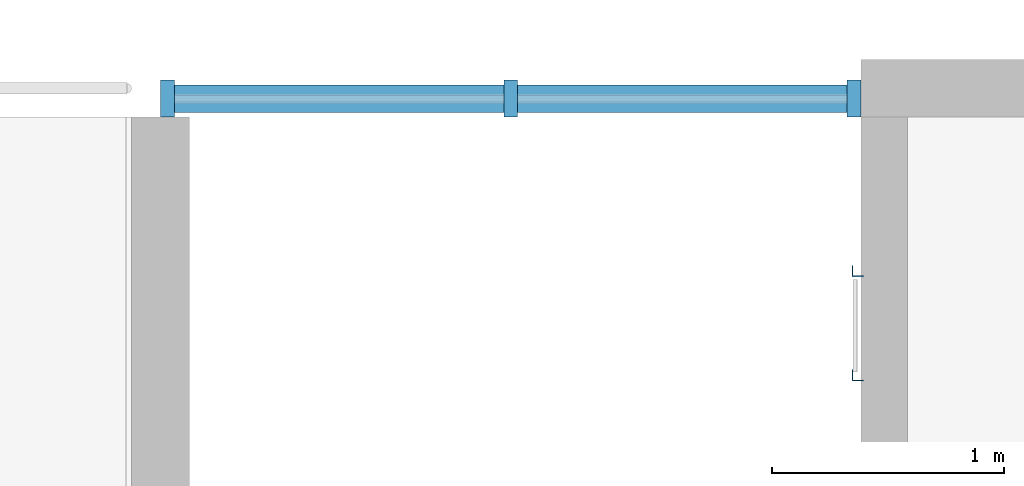
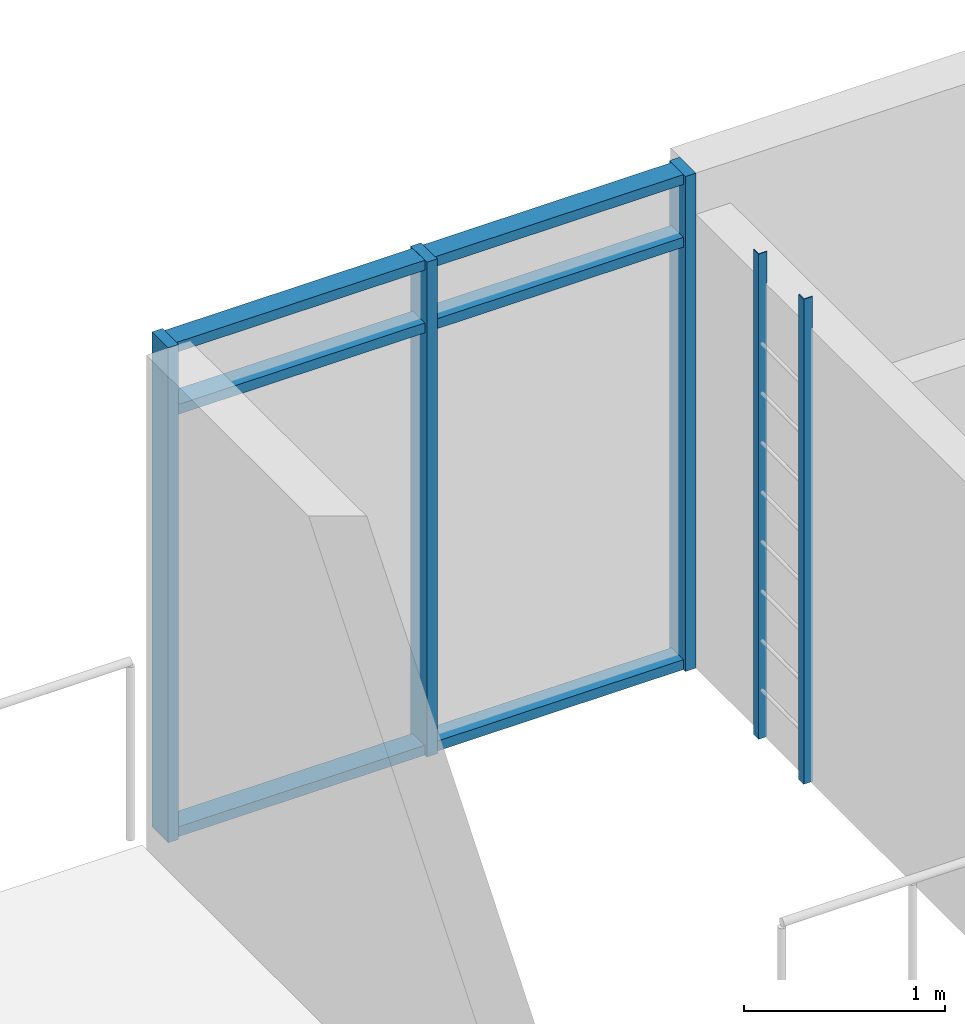
# One storey, part 9 of 64: 11 members, 1 element without a shape of its own.
"""IFC4 building model written with IfcOpenShell, lengths in metres."""

from ifc_helpers import new_model, si_unit, direction, frame, origin, origin_2d, place, context, subcontext, project, spatial, polyline, rectangle, outline, extrude, material, material_profile, profile_set, type_object, element, aggregate, save


model = new_model("IFC4")

# Units and contexts
model_context = context("Model", 3, precision=1e-05, world=origin(), true_north=direction((0.0, 1.0)))
body_context = subcontext(model_context, "Body", "Model", "MODEL_VIEW")
ifc_project = project(units=[si_unit("LENGTHUNIT", "METRE"), si_unit("AREAUNIT", "SQUARE_METRE"), si_unit("VOLUMEUNIT", "CUBIC_METRE"), si_unit("PLANEANGLEUNIT", "RADIAN"), si_unit("MASSUNIT", "GRAM", prefix="KILO")], contexts=[model_context])

# Site, building, storey
site_placement = place(None, origin())
site = spatial("IfcSite", under=ifc_project, at=site_placement, CompositionType="ELEMENT")
building_placement = place(site_placement, origin())
building = spatial("IfcBuilding", under=site, at=building_placement, Name="Ridgestep Commons", CompositionType="ELEMENT")
storey_placement = place(building_placement, frame((0.0, 0.0, 33.0)))
storey = spatial("IfcBuildingStorey", under=building, at=storey_placement, Name="L11", CompositionType="ELEMENT", Elevation=33.0)

# Members
ifc_material_1 = material(Name="Structural steel S355JR", Category="steel")
ifc_material_profile_1 = material_profile(ifc_material_1, outline(polyline([(-0.014404296875, -0.014404296875), (0.03564453125, -0.014404296875), (0.03564453125, -0.00927734375), (-0.00927734375, -0.00927734375), (-0.00927734375, 0.03564453125), (-0.014404296875, 0.03564453125), (-0.014404296875, -0.014404296875)])), Name="EA 50x50x5")
ifc_profile_set_1 = profile_set([ifc_material_profile_1], Name="Structural steel S355JR")
member_type_1 = type_object("IfcMemberType", Name="Core ladder stile EA 50x50x5", PredefinedType="STRINGER", material=ifc_profile_set_1)
for number, where, z_axis, x_axis, name in (
    (1, (160.60009765625, 21.625, 0.0), (0.0, 0.0, 1.0), (1.0, 0.0, 0.0), "Ladder stile D1C.1"),
    (2, (160.60009765625, 22.074951171875, 0.0), (0.0, 0.0, 1.0), (1.0, 0.0, 0.0), "Ladder stile D1C.2"),
):
    element("IfcMember", number, at=place(storey_placement, frame(where, z_axis=z_axis, x_axis=x_axis)), inside=storey, type_object=member_type_1, Name=name, PredefinedType="STRINGER", context=body_context, shape_type="SweptSolid", body=[
        extrude(outline(polyline([(-0.014404296875, -0.014404296875), (0.03564453125, -0.014404296875), (0.03564453125, -0.00927734375), (-0.00927734375, -0.00927734375), (-0.00927734375, 0.03564453125), (-0.014404296875, 0.03564453125), (-0.014404296875, -0.014404296875)])), origin(), (0.0, 0.0, 1.0), 2.93994140625),
    ])

# Curtain wall, members
ifc_material_2 = material(Name="Aluminium 6063-T6 and glass", Category="aluminium")
curtain_wall_type = type_object("IfcCurtainWallType", Name="Curtain wall stair strip", PredefinedType="NOTDEFINED", material=ifc_material_2)
curtain_wall_placement = place(storey_placement, origin())
curtain_wall = element("IfcCurtainWall", 3, at=curtain_wall_placement, inside=storey, type_object=curtain_wall_type, Name="Curtain wall D1C level 11", PredefinedType="NOTDEFINED")
ifc_material_3 = material(Name="Aluminium 6063-T6", Category="aluminium")
ifc_material_profile_2 = material_profile(ifc_material_3, rectangle(XDim=0.159912109375, YDim=0.06005859375, at=origin_2d()), Name="Mullion 60 x 160")
ifc_profile_set_2 = profile_set([ifc_material_profile_2], Name="Aluminium 6063-T6")
member_type_2 = type_object("IfcMemberType", Name="Mullion 60 x 160", PredefinedType="MULLION", material=ifc_profile_set_2)
member_1_placement = place(storey_placement, frame((157.6298828125, 22.830078125, 0.0), z_axis=(0.0, 0.0, 1.0), x_axis=(0.0, 1.0, 0.0)))
member_1 = element("IfcMember", 4, at=member_1_placement, type_object=member_type_2, Name="CW1 mullion 1", PredefinedType="MULLION", context=body_context, shape_type="SweptSolid", body=[
    extrude(rectangle(XDim=0.159912109375, YDim=0.06005859375, at=origin_2d()), origin(), (0.0, 0.0, 1.0), 3.0),
])
member_2_placement = place(storey_placement, frame((159.112548828125, 22.830078125, 0.0), z_axis=(0.0, 0.0, 1.0), x_axis=(0.0, 1.0, 0.0)))
member_2 = element("IfcMember", 5, at=member_2_placement, type_object=member_type_2, Name="CW1 mullion 2", PredefinedType="MULLION", context=body_context, shape_type="SweptSolid", body=[
    extrude(rectangle(XDim=0.159912109375, YDim=0.06005859375, at=origin_2d()), origin(), (0.0, 0.0, 1.0), 3.0),
])
member_3_placement = place(storey_placement, frame((160.594970703125, 22.830078125, 0.0), z_axis=(0.0, 0.0, 1.0), x_axis=(0.0, 1.0, 0.0)))
member_3 = element("IfcMember", 6, at=member_3_placement, type_object=member_type_2, Name="CW1 mullion 3", PredefinedType="MULLION", context=body_context, shape_type="SweptSolid", body=[
    extrude(rectangle(XDim=0.159912109375, YDim=0.06005859375, at=origin_2d()), origin(), (0.0, 0.0, 1.0), 3.0),
])
ifc_material_4 = material(Name="Aluminium 6063-T6", Category="aluminium")
ifc_material_profile_3 = material_profile(ifc_material_4, rectangle(XDim=0.1201171875, YDim=0.06005859375, at=origin_2d()), Name="Transom 60 x 120")
ifc_profile_set_3 = profile_set([ifc_material_profile_3], Name="Aluminium 6063-T6")
member_type_3 = type_object("IfcMemberType", Name="Transom 60 x 120", PredefinedType="USERDEFINED", material=ifc_profile_set_3)
member_4_placement = place(storey_placement, frame((157.659912109375, 22.830078125, 0.030029296875), z_axis=(1.0, 0.0, 0.0), x_axis=(0.0, 1.0, 0.0)))
member_4 = element("IfcMember", 7, at=member_4_placement, type_object=member_type_3, Name="CW1 transom 1.1", ObjectType="TRANSOM", PredefinedType="USERDEFINED", context=body_context, shape_type="SweptSolid", body=[
    extrude(rectangle(XDim=0.1201171875, YDim=0.06005859375, at=origin_2d()), origin(), (0.0, 0.0, 1.0), 1.422607421875),
])
member_5_placement = place(storey_placement, frame((157.659912109375, 22.830078125, 2.590087890625), z_axis=(1.0, 0.0, 0.0), x_axis=(0.0, 1.0, 0.0)))
member_5 = element("IfcMember", 8, at=member_5_placement, type_object=member_type_3, Name="CW1 transom 1.2", ObjectType="TRANSOM", PredefinedType="USERDEFINED", context=body_context, shape_type="SweptSolid", body=[
    extrude(rectangle(XDim=0.1201171875, YDim=0.06005859375, at=origin_2d()), origin(), (0.0, 0.0, 1.0), 1.422607421875),
])
member_6_placement = place(storey_placement, frame((157.659912109375, 22.830078125, 2.969970703125), z_axis=(1.0, 0.0, 0.0), x_axis=(0.0, 1.0, 0.0)))
member_6 = element("IfcMember", 9, at=member_6_placement, type_object=member_type_3, Name="CW1 transom 1.3", ObjectType="TRANSOM", PredefinedType="USERDEFINED", context=body_context, shape_type="SweptSolid", body=[
    extrude(rectangle(XDim=0.1201171875, YDim=0.06005859375, at=origin_2d()), origin(), (0.0, 0.0, 1.0), 1.422607421875),
])
member_7_placement = place(storey_placement, frame((159.142578125, 22.830078125, 0.030029296875), z_axis=(1.0, 0.0, 0.0), x_axis=(0.0, 1.0, 0.0)))
member_7 = element("IfcMember", 10, at=member_7_placement, type_object=member_type_3, Name="CW1 transom 2.1", ObjectType="TRANSOM", PredefinedType="USERDEFINED", context=body_context, shape_type="SweptSolid", body=[
    extrude(rectangle(XDim=0.1201171875, YDim=0.06005859375, at=origin_2d()), origin(), (0.0, 0.0, 1.0), 1.42236328125),
])
member_8_placement = place(storey_placement, frame((159.142578125, 22.830078125, 2.590087890625), z_axis=(1.0, 0.0, 0.0), x_axis=(0.0, 1.0, 0.0)))
member_8 = element("IfcMember", 11, at=member_8_placement, type_object=member_type_3, Name="CW1 transom 2.2", ObjectType="TRANSOM", PredefinedType="USERDEFINED", context=body_context, shape_type="SweptSolid", body=[
    extrude(rectangle(XDim=0.1201171875, YDim=0.06005859375, at=origin_2d()), origin(), (0.0, 0.0, 1.0), 1.42236328125),
])
member_9_placement = place(storey_placement, frame((159.142578125, 22.830078125, 2.969970703125), z_axis=(1.0, 0.0, 0.0), x_axis=(0.0, 1.0, 0.0)))
member_9 = element("IfcMember", 12, at=member_9_placement, type_object=member_type_3, Name="CW1 transom 2.3", ObjectType="TRANSOM", PredefinedType="USERDEFINED", context=body_context, shape_type="SweptSolid", body=[
    extrude(rectangle(XDim=0.1201171875, YDim=0.06005859375, at=origin_2d()), origin(), (0.0, 0.0, 1.0), 1.42236328125),
])
aggregate(curtain_wall, [member_1, member_2, member_3, member_4, member_5, member_6, member_7, member_8, member_9])

save(model, "model.ifc")
